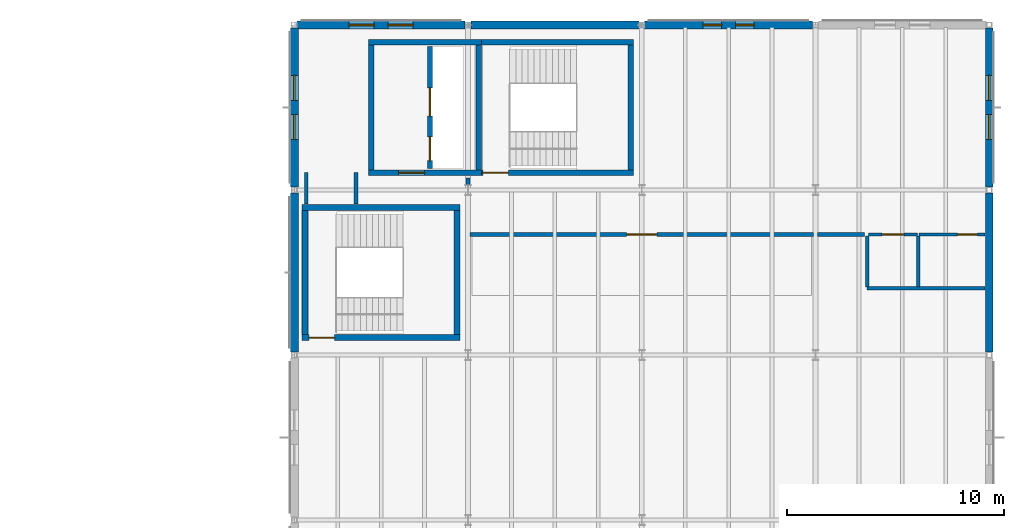
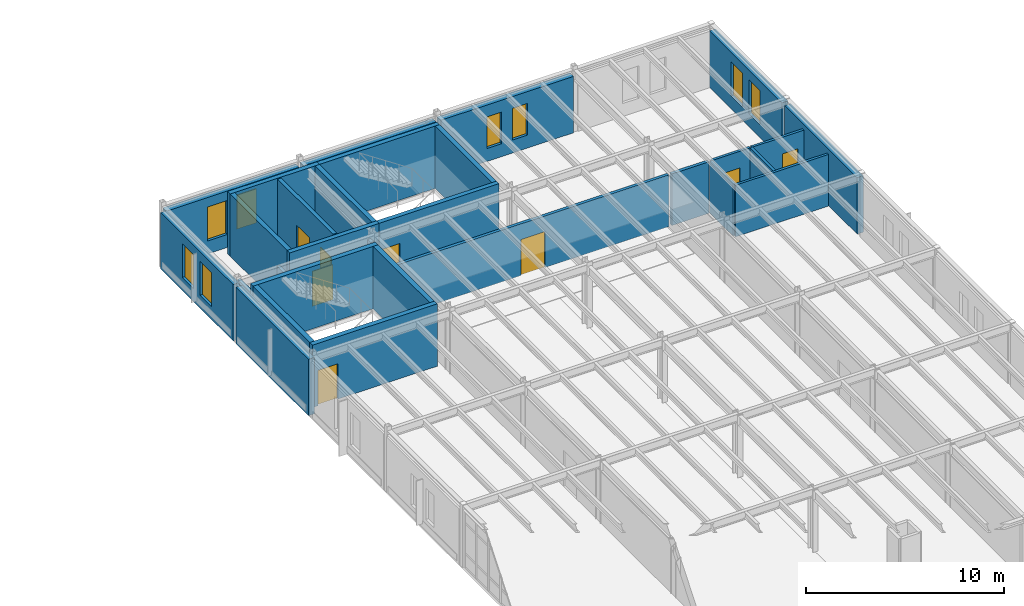
# One storey, part 168 of 189: 29 walls, 8 doors, 8 windows, 16 openings.
"""IFC4 building model written with IfcOpenShell, lengths in metres."""

from ifc_helpers import new_model, si_unit, direction, frame, frame_2d, origin, place, context, subcontext, project, spatial, rectangle, extrude, material, layer, layer_set, type_object, element, fill, save


model = new_model("IFC4")

# Units and contexts
model_context = context("Model", 3, precision=1e-05, world=origin(), true_north=direction((0.0, 1.0)))
body_context = subcontext(model_context, "Body", "Model", "MODEL_VIEW")
ifc_project = project(units=[si_unit("LENGTHUNIT", "METRE"), si_unit("AREAUNIT", "SQUARE_METRE"), si_unit("VOLUMEUNIT", "CUBIC_METRE"), si_unit("PLANEANGLEUNIT", "RADIAN"), si_unit("MASSUNIT", "GRAM", prefix="KILO")], contexts=[model_context])

# Site, building, storey
site_placement = place(None, origin())
site = spatial("IfcSite", under=ifc_project, at=site_placement, CompositionType="ELEMENT")
building_placement = place(site_placement, origin())
building = spatial("IfcBuilding", under=site, at=building_placement, Name="Montecoro Central Library", CompositionType="ELEMENT")
storey_placement = place(building_placement, frame((0.0, 0.0, 9.179931640625)))
storey = spatial("IfcBuildingStorey", under=building, at=storey_placement, Name="L02", CompositionType="ELEMENT", Elevation=9.179931640625)

# Wall
ifc_material_1 = material(Name="Roman travertine stone clad concrete C35/45", Category="masonry")
ifc_layer_1 = layer(ifc_material_1, 0.364990234375)
ifc_layer_set_1 = layer_set([ifc_layer_1], Name="Roman travertine stone clad concrete C35/45")
wall_type_1 = type_object("IfcWallType", Name="EW-STK-365", PredefinedType="SOLIDWALL", material=ifc_layer_set_1)
wall_1_placement = place(storey_placement, frame((173.0, 103.93310546875, 0.0), z_axis=(0.0, 0.0, 1.0), x_axis=(0.0, 1.0, 0.0)))
element("IfcWall", 1, at=wall_1_placement, inside=storey, type_object=wall_type_1, Name="V5-L02-EW-E4", PredefinedType="SOLIDWALL", context=body_context, shape_type="SweptSolid", body=[
    extrude(rectangle(XDim=7.333984375, YDim=0.364990234375, at=frame_2d((3.6669921875, 0.0))), origin(), (0.0, 0.0, 1.0), 3.47998046875),
])

# Wall, openings, windows
wall_2_placement = place(storey_placement, frame((173.0, 111.532958984375, 0.0), z_axis=(0.0, 0.0, 1.0), x_axis=(0.0, 1.0, 0.0)))
wall_2 = element("IfcWall", 2, at=wall_2_placement, inside=storey, type_object=wall_type_1, Name="V5-L02-EW-E5", PredefinedType="SOLIDWALL", context=body_context, shape_type="SweptSolid", body=[
    extrude(rectangle(XDim=7.333984375, YDim=0.364990234375, at=frame_2d((3.6669921875, 0.0))), origin(), (0.0, 0.0, 1.0), 3.47998046875),
])
opening_1_placement = place(wall_2_placement, frame((2.19189453125, 0.0, 0.800048828125)))
opening_1 = element("IfcOpeningElement", 3, at=opening_1_placement, cuts=wall_2, Name="Opening WN-04", PredefinedType="OPENING", context=body_context, shape_type="SweptSolid", body=[
    extrude(rectangle(XDim=1.14990234375, YDim=2.10009765625, at=frame_2d((0.574951171875, 1.050048828125))), frame((0.0, 0.1923828125, 0.0), z_axis=(0.0, -1.0, 0.0), x_axis=(1.0, 0.0, 0.0)), (0.0, 0.0, 1.0), 0.385009765625),
])
opening_2_placement = place(wall_2_placement, frame((3.991943359375, 0.0, 0.800048828125)))
opening_2 = element("IfcOpeningElement", 4, at=opening_2_placement, cuts=wall_2, Name="Opening WN-04", PredefinedType="OPENING", context=body_context, shape_type="SweptSolid", body=[
    extrude(rectangle(XDim=1.14990234375, YDim=2.10009765625, at=frame_2d((0.574951171875, 1.050048828125))), frame((0.0, 0.1923828125, 0.0), z_axis=(0.0, -1.0, 0.0), x_axis=(1.0, 0.0, 0.0)), (0.0, 0.0, 1.0), 0.385009765625),
])
ifc_material_2 = material(Name="UV-filtered triple glazing", Category="glass")
window_type_1 = type_object("IfcWindowType", Name="WN-STK-115", PartitioningType="SINGLE_PANEL", PredefinedType="WINDOW", material=ifc_material_2)
window_1_placement = place(opening_1_placement, origin())
window_1 = element("IfcWindow", 5, at=window_1_placement, inside=storey, type_object=window_type_1, Name="V5-L02-WN-E5-1", OverallHeight=2.10009765625, OverallWidth=1.14990234375, PartitioningType="SINGLE_PANEL", PredefinedType="WINDOW", context=body_context, shape_type="SweptSolid", body=[
    extrude(rectangle(XDim=1.14990234375, YDim=2.10009765625, at=frame_2d((0.574951171875, 1.050048828125))), frame((0.0, 0.030029296875, 0.0), z_axis=(0.0, -1.0, 0.0), x_axis=(1.0, 0.0, 0.0)), (0.0, 0.0, 1.0), 0.06005859375),
])
fill(opening_1, window_1)
window_2_placement = place(opening_2_placement, origin())
window_2 = element("IfcWindow", 6, at=window_2_placement, inside=storey, type_object=window_type_1, Name="V5-L02-WN-E5-2", OverallHeight=2.10009765625, OverallWidth=1.14990234375, PartitioningType="SINGLE_PANEL", PredefinedType="WINDOW", context=body_context, shape_type="SweptSolid", body=[
    extrude(rectangle(XDim=1.14990234375, YDim=2.10009765625, at=frame_2d((0.574951171875, 1.050048828125))), frame((0.0, 0.030029296875, 0.0), z_axis=(0.0, -1.0, 0.0), x_axis=(1.0, 0.0, 0.0)), (0.0, 0.0, 1.0), 0.06005859375),
])
fill(opening_2, window_2)

wall_3_placement = place(storey_placement, frame((164.866943359375, 119.0, 0.0), z_axis=(0.0, 0.0, 1.0), x_axis=(-1.0, 0.0, 0.0)))
wall_3 = element("IfcWall", 7, at=wall_3_placement, inside=storey, type_object=wall_type_1, Name="V5-L02-EW-N2", PredefinedType="SOLIDWALL", context=body_context, shape_type="SweptSolid", body=[
    extrude(rectangle(XDim=7.73388671875, YDim=0.364990234375, at=frame_2d((3.866943359375, 0.0))), origin(), (0.0, 0.0, 1.0), 3.47998046875),
])
opening_3_placement = place(wall_3_placement, frame((2.69189453125, 0.0, 0.800048828125)))
opening_3 = element("IfcOpeningElement", 8, at=opening_3_placement, cuts=wall_3, Name="Opening WN-01", PredefinedType="OPENING", context=body_context, shape_type="SweptSolid", body=[
    extrude(rectangle(XDim=0.85009765625, YDim=1.949951171875, at=frame_2d((0.425048828125, 0.97509765625))), frame((0.0, 0.1923828125, 0.0), z_axis=(0.0, -1.0, 0.0), x_axis=(1.0, 0.0, 0.0)), (0.0, 0.0, 1.0), 0.385009765625),
])
opening_4_placement = place(wall_3_placement, frame((4.19189453125, 0.0, 0.800048828125)))
opening_4 = element("IfcOpeningElement", 9, at=opening_4_placement, cuts=wall_3, Name="Opening WN-01", PredefinedType="OPENING", context=body_context, shape_type="SweptSolid", body=[
    extrude(rectangle(XDim=0.85009765625, YDim=1.949951171875, at=frame_2d((0.425048828125, 0.97509765625))), frame((0.0, 0.1923828125, 0.0), z_axis=(0.0, -1.0, 0.0), x_axis=(1.0, 0.0, 0.0)), (0.0, 0.0, 1.0), 0.385009765625),
])
window_type_2 = type_object("IfcWindowType", Name="WN-STK-085", PartitioningType="SINGLE_PANEL", PredefinedType="WINDOW", material=ifc_material_2)
window_3_placement = place(opening_3_placement, origin())
window_3 = element("IfcWindow", 10, at=window_3_placement, inside=storey, type_object=window_type_2, Name="V5-L02-WN-N2-1", OverallHeight=1.949951171875, OverallWidth=0.85009765625, PartitioningType="SINGLE_PANEL", PredefinedType="WINDOW", context=body_context, shape_type="SweptSolid", body=[
    extrude(rectangle(XDim=0.85009765625, YDim=1.949951171875, at=frame_2d((0.425048828125, 0.97509765625))), frame((0.0, 0.030029296875, 0.0), z_axis=(0.0, -1.0, 0.0), x_axis=(1.0, 0.0, 0.0)), (0.0, 0.0, 1.0), 0.06005859375),
])
fill(opening_3, window_3)
window_4_placement = place(opening_4_placement, origin())
window_4 = element("IfcWindow", 11, at=window_4_placement, inside=storey, type_object=window_type_2, Name="V5-L02-WN-N2-2", OverallHeight=1.949951171875, OverallWidth=0.85009765625, PartitioningType="SINGLE_PANEL", PredefinedType="WINDOW", context=body_context, shape_type="SweptSolid", body=[
    extrude(rectangle(XDim=0.85009765625, YDim=1.949951171875, at=frame_2d((0.425048828125, 0.97509765625))), frame((0.0, 0.030029296875, 0.0), z_axis=(0.0, -1.0, 0.0), x_axis=(1.0, 0.0, 0.0)), (0.0, 0.0, 1.0), 0.06005859375),
])
fill(opening_4, window_4)

# Wall
wall_4_placement = place(storey_placement, frame((156.866943359375, 119.0, 0.0), z_axis=(0.0, 0.0, 1.0), x_axis=(-1.0, 0.0, 0.0)))
element("IfcWall", 12, at=wall_4_placement, inside=storey, type_object=wall_type_1, Name="V5-L02-EW-N1", PredefinedType="SOLIDWALL", context=body_context, shape_type="SweptSolid", body=[
    extrude(rectangle(XDim=7.73388671875, YDim=0.364990234375, at=frame_2d((3.866943359375, 0.0))), origin(), (0.0, 0.0, 1.0), 3.47998046875),
])

# Wall, openings, windows
wall_5_placement = place(storey_placement, frame((148.866943359375, 119.0, 0.0), z_axis=(0.0, 0.0, 1.0), x_axis=(-1.0, 0.0, 0.0)))
wall_5 = element("IfcWall", 13, at=wall_5_placement, inside=storey, type_object=wall_type_1, Name="V5-L02-EW-N0", PredefinedType="SOLIDWALL", context=body_context, shape_type="SweptSolid", body=[
    extrude(rectangle(XDim=7.73388671875, YDim=0.364990234375, at=frame_2d((3.866943359375, 0.0))), origin(), (0.0, 0.0, 1.0), 3.47998046875),
])
opening_5_placement = place(wall_5_placement, frame((2.39208984375, 0.0, 0.800048828125)))
opening_5 = element("IfcOpeningElement", 14, at=opening_5_placement, cuts=wall_5, Name="Opening WN-04", PredefinedType="OPENING", context=body_context, shape_type="SweptSolid", body=[
    extrude(rectangle(XDim=1.14990234375, YDim=2.10009765625, at=frame_2d((0.574951171875, 1.050048828125))), frame((0.0, 0.1923828125, 0.0), z_axis=(0.0, -1.0, 0.0), x_axis=(1.0, 0.0, 0.0)), (0.0, 0.0, 1.0), 0.385009765625),
])
opening_6_placement = place(wall_5_placement, frame((4.19189453125, 0.0, 0.800048828125)))
opening_6 = element("IfcOpeningElement", 15, at=opening_6_placement, cuts=wall_5, Name="Opening WN-04", PredefinedType="OPENING", context=body_context, shape_type="SweptSolid", body=[
    extrude(rectangle(XDim=1.14990234375, YDim=2.10009765625, at=frame_2d((0.574951171875, 1.050048828125))), frame((0.0, 0.1923828125, 0.0), z_axis=(0.0, -1.0, 0.0), x_axis=(1.0, 0.0, 0.0)), (0.0, 0.0, 1.0), 0.385009765625),
])
window_5_placement = place(opening_5_placement, origin())
window_5 = element("IfcWindow", 16, at=window_5_placement, inside=storey, type_object=window_type_1, Name="V5-L02-WN-N0-1", OverallHeight=2.10009765625, OverallWidth=1.14990234375, PartitioningType="SINGLE_PANEL", PredefinedType="WINDOW", context=body_context, shape_type="SweptSolid", body=[
    extrude(rectangle(XDim=1.14990234375, YDim=2.10009765625, at=frame_2d((0.574951171875, 1.050048828125))), frame((0.0, 0.030029296875, 0.0), z_axis=(0.0, -1.0, 0.0), x_axis=(1.0, 0.0, 0.0)), (0.0, 0.0, 1.0), 0.06005859375),
])
fill(opening_5, window_5)
window_6_placement = place(opening_6_placement, origin())
window_6 = element("IfcWindow", 17, at=window_6_placement, inside=storey, type_object=window_type_1, Name="V5-L02-WN-N0-2", OverallHeight=2.10009765625, OverallWidth=1.14990234375, PartitioningType="SINGLE_PANEL", PredefinedType="WINDOW", context=body_context, shape_type="SweptSolid", body=[
    extrude(rectangle(XDim=1.14990234375, YDim=2.10009765625, at=frame_2d((0.574951171875, 1.050048828125))), frame((0.0, 0.030029296875, 0.0), z_axis=(0.0, -1.0, 0.0), x_axis=(1.0, 0.0, 0.0)), (0.0, 0.0, 1.0), 0.06005859375),
])
fill(opening_6, window_6)

wall_6_placement = place(storey_placement, frame((141.0, 118.866943359375, 0.0), z_axis=(0.0, 0.0, 1.0), x_axis=(0.0, -1.0, 0.0)))
wall_6 = element("IfcWall", 18, at=wall_6_placement, inside=storey, type_object=wall_type_1, Name="V5-L02-EW-W5", PredefinedType="SOLIDWALL", context=body_context, shape_type="SweptSolid", body=[
    extrude(rectangle(XDim=7.333984375, YDim=0.364990234375, at=frame_2d((3.6669921875, 0.0))), origin(), (0.0, 0.0, 1.0), 3.47998046875),
])
opening_7_placement = place(wall_6_placement, frame((2.19189453125, 0.0, 0.800048828125)))
opening_7 = element("IfcOpeningElement", 19, at=opening_7_placement, cuts=wall_6, Name="Opening WN-04", PredefinedType="OPENING", context=body_context, shape_type="SweptSolid", body=[
    extrude(rectangle(XDim=1.14990234375, YDim=2.10009765625, at=frame_2d((0.574951171875, 1.050048828125))), frame((0.0, 0.1923828125, 0.0), z_axis=(0.0, -1.0, 0.0), x_axis=(1.0, 0.0, 0.0)), (0.0, 0.0, 1.0), 0.385009765625),
])
opening_8_placement = place(wall_6_placement, frame((3.991943359375, 0.0, 0.800048828125)))
opening_8 = element("IfcOpeningElement", 20, at=opening_8_placement, cuts=wall_6, Name="Opening WN-04", PredefinedType="OPENING", context=body_context, shape_type="SweptSolid", body=[
    extrude(rectangle(XDim=1.14990234375, YDim=2.10009765625, at=frame_2d((0.574951171875, 1.050048828125))), frame((0.0, 0.1923828125, 0.0), z_axis=(0.0, -1.0, 0.0), x_axis=(1.0, 0.0, 0.0)), (0.0, 0.0, 1.0), 0.385009765625),
])
window_7_placement = place(opening_7_placement, origin())
window_7 = element("IfcWindow", 21, at=window_7_placement, inside=storey, type_object=window_type_1, Name="V5-L02-WN-W5-1", OverallHeight=2.10009765625, OverallWidth=1.14990234375, PartitioningType="SINGLE_PANEL", PredefinedType="WINDOW", context=body_context, shape_type="SweptSolid", body=[
    extrude(rectangle(XDim=1.14990234375, YDim=2.10009765625, at=frame_2d((0.574951171875, 1.050048828125))), frame((0.0, 0.030029296875, 0.0), z_axis=(0.0, -1.0, 0.0), x_axis=(1.0, 0.0, 0.0)), (0.0, 0.0, 1.0), 0.06005859375),
])
fill(opening_7, window_7)
window_8_placement = place(opening_8_placement, origin())
window_8 = element("IfcWindow", 22, at=window_8_placement, inside=storey, type_object=window_type_1, Name="V5-L02-WN-W5-2", OverallHeight=2.10009765625, OverallWidth=1.14990234375, PartitioningType="SINGLE_PANEL", PredefinedType="WINDOW", context=body_context, shape_type="SweptSolid", body=[
    extrude(rectangle(XDim=1.14990234375, YDim=2.10009765625, at=frame_2d((0.574951171875, 1.050048828125))), frame((0.0, 0.030029296875, 0.0), z_axis=(0.0, -1.0, 0.0), x_axis=(1.0, 0.0, 0.0)), (0.0, 0.0, 1.0), 0.06005859375),
])
fill(opening_8, window_8)

# Wall
wall_7_placement = place(storey_placement, frame((141.0, 111.26708984375, 0.0), z_axis=(0.0, 0.0, 1.0), x_axis=(0.0, -1.0, 0.0)))
element("IfcWall", 23, at=wall_7_placement, inside=storey, type_object=wall_type_1, Name="V5-L02-EW-W4", PredefinedType="SOLIDWALL", context=body_context, shape_type="SweptSolid", body=[
    extrude(rectangle(XDim=7.333984375, YDim=0.364990234375, at=frame_2d((3.6669921875, 0.0))), origin(), (0.0, 0.0, 1.0), 3.47998046875),
])

# Wall, opening, door
ifc_material_3 = material(Name="Gypsum fire-rated partition")
ifc_layer_2 = layer(ifc_material_3, 0.179931640625)
ifc_layer_set_2 = layer_set([ifc_layer_2], Name="Gypsum fire-rated partition")
wall_type_2 = type_object("IfcWallType", Name="IW-COR-180", PredefinedType="PARTITIONING", material=ifc_layer_set_2)
wall_8_placement = place(storey_placement, frame((149.090087890625, 109.35009765625, 0.0), z_axis=(0.0, 0.0, 1.0), x_axis=(1.0, 0.0, 0.0)))
wall_8 = element("IfcWall", 24, at=wall_8_placement, inside=storey, type_object=wall_type_2, Name="CORW-V5-L02-03", PredefinedType="PARTITIONING", context=body_context, shape_type="SweptSolid", body=[
    extrude(rectangle(XDim=15.81982421875, YDim=0.179931640625, at=frame_2d((7.909912109375, 0.0))), origin(), (0.0, 0.0, 1.0), 3.18017578125),
])
opening_9_placement = place(wall_8_placement, frame((7.2099609375, 0.0, 0.0)))
opening_9 = element("IfcOpeningElement", 25, at=opening_9_placement, cuts=wall_8, Name="Opening ID-08", PredefinedType="OPENING", context=body_context, shape_type="SweptSolid", body=[
    extrude(rectangle(XDim=1.39990234375, YDim=2.219970703125, at=frame_2d((0.699951171875, 1.10986328125))), frame((0.0, 0.099853515625, 0.0), z_axis=(0.0, -1.0, 0.0), x_axis=(1.0, 0.0, 0.0)), (0.0, 0.0, 1.0), 0.199951171875),
])
ifc_material_4 = material(Name="Solid oak and fire-rated steel door", Category="steel")
door_type_1 = type_object("IfcDoorType", Name="ID-RDG-140", OperationType="NOTDEFINED", PredefinedType="DOOR", material=ifc_material_4)
door_1_placement = place(opening_9_placement, origin())
door_1 = element("IfcDoor", 26, at=door_1_placement, inside=storey, type_object=door_type_1, Name="DR-SP-V5-L02-R2P1", OperationType="SINGLE_SWING_RIGHT", OverallHeight=2.219970703125, OverallWidth=1.39990234375, PredefinedType="DOOR", context=body_context, shape_type="SweptSolid", body=[
    extrude(rectangle(XDim=1.39990234375, YDim=2.219970703125, at=frame_2d((0.699951171875, 1.10986328125))), frame((0.0, 0.02490234375, 0.0), z_axis=(0.0, -1.0, 0.0), x_axis=(1.0, 0.0, 0.0)), (0.0, 0.0, 1.0), 0.050048828125),
])
fill(opening_9, door_1)

# Walls
wall_9_placement = place(storey_placement, frame((165.090087890625, 109.35009765625, 0.0), z_axis=(0.0, 0.0, 1.0), x_axis=(1.0, 0.0, 0.0)))
element("IfcWall", 27, at=wall_9_placement, inside=storey, type_object=wall_type_2, Name="CORW-V5-L02-04", PredefinedType="PARTITIONING", context=body_context, shape_type="SweptSolid", body=[
    extrude(rectangle(XDim=2.169921875, YDim=0.179931640625, at=frame_2d((1.0849609375, 0.0))), origin(), (0.0, 0.0, 1.0), 3.18017578125),
])
wall_10_placement = place(storey_placement, frame((149.0, 111.639892578125, 0.0), z_axis=(0.0, 0.0, 1.0), x_axis=(0.0, 1.0, 0.0)))
element("IfcWall", 28, at=wall_10_placement, inside=storey, type_object=wall_type_2, Name="PIL-V5-L02-1", PredefinedType="PARTITIONING", context=body_context, shape_type="SweptSolid", body=[
    extrude(rectangle(XDim=0.320068359375, YDim=0.179931640625, at=frame_2d((0.16015625, 0.0))), origin(), (0.0, 0.0, 1.0), 3.18017578125),
])
for number, where, z_axis, x_axis, name in (
    (29, (141.550048828125, 110.760009765625, 0.0), (0.0, 0.0, 1.0), (0.0, 1.0, 0.0), "SPRW-V5-L02-1W1"),
    (30, (143.85009765625, 110.760009765625, 0.0), (0.0, 0.0, 1.0), (0.0, 1.0, 0.0), "SPRW-V5-L02-1E1"),
):
    element("IfcWall", number, at=place(storey_placement, frame(where, z_axis=z_axis, x_axis=x_axis)), inside=storey, type_object=wall_type_2, Name=name, PredefinedType="PARTITIONING", context=body_context, shape_type="SweptSolid", body=[
        extrude(rectangle(XDim=1.43994140625, YDim=0.179931640625, at=frame_2d((0.719970703125, 0.0))), origin(), (0.0, 0.0, 1.0), 3.18017578125),
    ])

# Wall, openings, doors
ifc_material_5 = material(Name="Concrete C32/40", Category="concrete")
ifc_layer_3 = layer(ifc_material_5, 0.219970703125)
ifc_layer_set_3 = layer_set([ifc_layer_3], Name="Concrete C32/40")
wall_type_3 = type_object("IfcWallType", Name="IW-FFL-220", PredefinedType="SOLIDWALL", material=ifc_layer_set_3)
wall_11_placement = place(storey_placement, frame((147.25, 112.39990234375, 0.0), z_axis=(0.0, 0.0, 1.0), x_axis=(0.0, 1.0, 0.0)))
wall_11 = element("IfcWall", 31, at=wall_11_placement, inside=storey, type_object=wall_type_3, Name="C6-L02-WLSH", PredefinedType="SOLIDWALL", context=body_context, shape_type="SweptSolid", body=[
    extrude(rectangle(XDim=5.60009765625, YDim=0.219970703125, at=frame_2d((2.800048828125, 0.0))), origin(), (0.0, 0.0, 1.0), 3.844970703125),
])
opening_10_placement = place(wall_11_placement, frame((0.35009765625, 0.0, 0.0)))
opening_10 = element("IfcOpeningElement", 32, at=opening_10_placement, cuts=wall_11, Name="Opening LD-01", PredefinedType="OPENING", context=body_context, shape_type="SweptSolid", body=[
    extrude(rectangle(XDim=1.10009765625, YDim=2.14990234375, at=frame_2d((0.550048828125, 1.074951171875))), frame((0.0, 0.119873046875, 0.0), z_axis=(0.0, -1.0, 0.0), x_axis=(1.0, 0.0, 0.0)), (0.0, 0.0, 1.0), 0.239990234375),
])
opening_11_placement = place(wall_11_placement, frame((2.39990234375, 0.0, 0.0)))
opening_11 = element("IfcOpeningElement", 33, at=opening_11_placement, cuts=wall_11, Name="Opening LD-02", PredefinedType="OPENING", context=body_context, shape_type="SweptSolid", body=[
    extrude(rectangle(XDim=1.300048828125, YDim=2.179931640625, at=frame_2d((0.64990234375, 1.08984375))), frame((0.0, 0.119873046875, 0.0), z_axis=(0.0, -1.0, 0.0), x_axis=(1.0, 0.0, 0.0)), (0.0, 0.0, 1.0), 0.239990234375),
])
door_type_2 = type_object("IfcDoorType", Name="LD-LIFT-110", OperationType="NOTDEFINED", PredefinedType="DOOR", material=ifc_material_4)
door_2_placement = place(opening_10_placement, origin())
door_2 = element("IfcDoor", 34, at=door_2_placement, inside=storey, type_object=door_type_2, Name="C6-L02-LD-FFL-02", OperationType="SLIDING_TO_LEFT", OverallHeight=2.14990234375, OverallWidth=1.10009765625, PredefinedType="DOOR", context=body_context, shape_type="SweptSolid", body=[
    extrude(rectangle(XDim=1.10009765625, YDim=2.14990234375, at=frame_2d((0.550048828125, 1.074951171875))), frame((0.0, 0.02490234375, 0.0), z_axis=(0.0, -1.0, 0.0), x_axis=(1.0, 0.0, 0.0)), (0.0, 0.0, 1.0), 0.050048828125),
])
fill(opening_10, door_2)
door_type_3 = type_object("IfcDoorType", Name="LD-LIFT-130", OperationType="NOTDEFINED", PredefinedType="DOOR", material=ifc_material_4)
door_3_placement = place(opening_11_placement, origin())
door_3 = element("IfcDoor", 35, at=door_3_placement, inside=storey, type_object=door_type_3, Name="C6-L02-LD-GL-01", OperationType="SLIDING_TO_LEFT", OverallHeight=2.179931640625, OverallWidth=1.300048828125, PredefinedType="DOOR", context=body_context, shape_type="SweptSolid", body=[
    extrude(rectangle(XDim=1.300048828125, YDim=2.179931640625, at=frame_2d((0.64990234375, 1.08984375))), frame((0.0, 0.02490234375, 0.0), z_axis=(0.0, -1.0, 0.0), x_axis=(1.0, 0.0, 0.0)), (0.0, 0.0, 1.0), 0.050048828125),
])
fill(opening_11, door_3)

# Wall, opening, door
ifc_material_6 = material(Name="Concrete C35/45", Category="concrete")
ifc_layer_4 = layer(ifc_material_6, 0.260009765625)
ifc_layer_set_4 = layer_set([ifc_layer_4], Name="Concrete C35/45")
wall_type_4 = type_object("IfcWallType", Name="IW-SHR-260", PredefinedType="SHEAR", material=ifc_layer_set_4)
wall_12_placement = place(storey_placement, frame((144.419921875, 112.199951171875, 0.0), z_axis=(0.0, 0.0, 1.0), x_axis=(1.0, 0.0, 0.0)))
wall_12 = element("IfcWall", 36, at=wall_12_placement, inside=storey, type_object=wall_type_4, Name="C6-L02-LWS", PredefinedType="SHEAR", context=body_context, shape_type="SweptSolid", body=[
    extrude(rectangle(XDim=5.2099609375, YDim=0.260009765625, at=frame_2d((2.60498046875, 0.0))), origin(), (0.0, 0.0, 1.0), 3.844970703125),
])
opening_12_placement = place(wall_12_placement, frame((1.3798828125, 0.0, 0.0)))
opening_12 = element("IfcOpeningElement", 37, at=opening_12_placement, cuts=wall_12, Name="Opening ID-03", PredefinedType="OPENING", context=body_context, shape_type="SweptSolid", body=[
    extrude(rectangle(XDim=1.199951171875, YDim=2.159912109375, at=frame_2d((0.60009765625, 1.080078125))), frame((0.0, 0.139892578125, 0.0), z_axis=(0.0, -1.0, 0.0), x_axis=(1.0, 0.0, 0.0)), (0.0, 0.0, 1.0), 0.280029296875),
])
door_type_4 = type_object("IfcDoorType", Name="ID-FFL-120", OperationType="NOTDEFINED", PredefinedType="DOOR", material=ifc_material_4)
door_4_placement = place(opening_12_placement, origin())
door_4 = element("IfcDoor", 38, at=door_4_placement, inside=storey, type_object=door_type_4, Name="C6-L02-DLOB", OperationType="SINGLE_SWING_LEFT", OverallHeight=2.159912109375, OverallWidth=1.199951171875, PredefinedType="DOOR", context=body_context, shape_type="SweptSolid", body=[
    extrude(rectangle(XDim=1.199951171875, YDim=2.159912109375, at=frame_2d((0.60009765625, 1.080078125))), frame((0.0, 0.02490234375, 0.0), z_axis=(0.0, -1.0, 0.0), x_axis=(1.0, 0.0, 0.0)), (0.0, 0.0, 1.0), 0.050048828125),
])
fill(opening_12, door_4)

# Walls
wall_13_placement = place(storey_placement, frame((149.6298828125, 118.199951171875, 0.0), z_axis=(0.0, 0.0, 1.0), x_axis=(-1.0, 0.0, 0.0)))
element("IfcWall", 39, at=wall_13_placement, inside=storey, type_object=wall_type_4, Name="C6-L02-LWN", PredefinedType="SHEAR", context=body_context, shape_type="SweptSolid", body=[
    extrude(rectangle(XDim=5.2099609375, YDim=0.260009765625, at=frame_2d((2.60498046875, 0.0))), origin(), (0.0, 0.0, 1.0), 3.844970703125),
])
wall_14_placement = place(storey_placement, frame((144.550048828125, 118.070068359375, 0.0), z_axis=(0.0, 0.0, 1.0), x_axis=(0.0, -1.0, 0.0)))
element("IfcWall", 40, at=wall_14_placement, inside=storey, type_object=wall_type_4, Name="C6-L02-LWW", PredefinedType="SHEAR", context=body_context, shape_type="SweptSolid", body=[
    extrude(rectangle(XDim=5.739990234375, YDim=0.260009765625, at=frame_2d((2.8701171875, 0.0))), origin(), (0.0, 0.0, 1.0), 3.844970703125),
])

# Wall, opening, door
wall_15_placement = place(storey_placement, frame((149.3701171875, 112.199951171875, 0.0), z_axis=(0.0, 0.0, 1.0), x_axis=(1.0, 0.0, 0.0)))
wall_15 = element("IfcWall", 41, at=wall_15_placement, inside=storey, type_object=wall_type_4, Name="C6-L02-WS", PredefinedType="SHEAR", context=body_context, shape_type="SweptSolid", body=[
    extrude(rectangle(XDim=7.259765625, YDim=0.260009765625, at=frame_2d((3.6298828125, 0.0))), origin(), (0.0, 0.0, 1.0), 3.844970703125),
])
opening_13_placement = place(wall_15_placement, frame((0.31005859375, 0.0, 0.0)))
opening_13 = element("IfcOpeningElement", 42, at=opening_13_placement, cuts=wall_15, Name="Opening ID-02", PredefinedType="OPENING", context=body_context, shape_type="SweptSolid", body=[
    extrude(rectangle(XDim=1.179931640625, YDim=2.179931640625, at=frame_2d((0.58984375, 1.08984375))), frame((0.0, 0.139892578125, 0.0), z_axis=(0.0, -1.0, 0.0), x_axis=(1.0, 0.0, 0.0)), (0.0, 0.0, 1.0), 0.280029296875),
])
door_type_5 = type_object("IfcDoorType", Name="ID-STR-135", OperationType="NOTDEFINED", PredefinedType="DOOR", material=ifc_material_4)
door_5_placement = place(opening_13_placement, origin())
door_5 = element("IfcDoor", 43, at=door_5_placement, inside=storey, type_object=door_type_5, Name="C6-L02-DSTR", OperationType="SINGLE_SWING_RIGHT", OverallHeight=2.179931640625, OverallWidth=1.179931640625, PredefinedType="DOOR", context=body_context, shape_type="SweptSolid", body=[
    extrude(rectangle(XDim=1.179931640625, YDim=2.179931640625, at=frame_2d((0.58984375, 1.08984375))), frame((0.0, 0.02490234375, 0.0), z_axis=(0.0, -1.0, 0.0), x_axis=(1.0, 0.0, 0.0)), (0.0, 0.0, 1.0), 0.050048828125),
])
fill(opening_13, door_5)

# Walls
wall_16_placement = place(storey_placement, frame((149.3701171875, 118.199951171875, 0.0), z_axis=(0.0, 0.0, 1.0), x_axis=(1.0, 0.0, 0.0)))
element("IfcWall", 44, at=wall_16_placement, inside=storey, type_object=wall_type_4, Name="C6-L02-WN", PredefinedType="SHEAR", context=body_context, shape_type="SweptSolid", body=[
    extrude(rectangle(XDim=7.259765625, YDim=0.260009765625, at=frame_2d((3.6298828125, 0.0))), origin(), (0.0, 0.0, 1.0), 3.844970703125),
])
for number, where, z_axis, x_axis, name in (
    (45, (149.5, 112.330078125, 0.0), (0.0, 0.0, 1.0), (0.0, 1.0, 0.0), "C6-L02-WW"),
    (46, (156.5, 112.330078125, 0.0), (0.0, 0.0, 1.0), (0.0, 1.0, 0.0), "C6-L02-WE"),
):
    element("IfcWall", number, at=place(storey_placement, frame(where, z_axis=z_axis, x_axis=x_axis)), inside=storey, type_object=wall_type_4, Name=name, PredefinedType="SHEAR", context=body_context, shape_type="SweptSolid", body=[
        extrude(rectangle(XDim=5.739990234375, YDim=0.260009765625, at=frame_2d((2.8701171875, 0.0))), origin(), (0.0, 0.0, 1.0), 3.844970703125),
    ])

# Wall, opening, door
ifc_layer_5 = layer(ifc_material_6, 0.280029296875)
ifc_layer_set_5 = layer_set([ifc_layer_5], Name="Concrete C35/45")
wall_type_5 = type_object("IfcWallType", Name="IW-SHR-280", PredefinedType="SHEAR", material=ifc_layer_set_5)
wall_17_placement = place(storey_placement, frame((141.360107421875, 104.60009765625, 0.0), z_axis=(0.0, 0.0, 1.0), x_axis=(1.0, 0.0, 0.0)))
wall_17 = element("IfcWall", 47, at=wall_17_placement, inside=storey, type_object=wall_type_5, Name="C8-L02-WS", PredefinedType="SHEAR", context=body_context, shape_type="SweptSolid", body=[
    extrude(rectangle(XDim=7.27978515625, YDim=0.280029296875, at=frame_2d((3.639892578125, 0.0))), origin(), (0.0, 0.0, 1.0), 3.844970703125),
])
opening_14_placement = place(wall_17_placement, frame((0.320068359375, 0.0, 0.0)))
opening_14 = element("IfcOpeningElement", 48, at=opening_14_placement, cuts=wall_17, Name="Opening ID-02", PredefinedType="OPENING", context=body_context, shape_type="SweptSolid", body=[
    extrude(rectangle(XDim=1.179931640625, YDim=2.179931640625, at=frame_2d((0.58984375, 1.08984375))), frame((0.0, 0.14990234375, 0.0), z_axis=(0.0, -1.0, 0.0), x_axis=(1.0, 0.0, 0.0)), (0.0, 0.0, 1.0), 0.300048828125),
])
door_6_placement = place(opening_14_placement, origin())
door_6 = element("IfcDoor", 49, at=door_6_placement, inside=storey, type_object=door_type_5, Name="C8-L02-DSTR", OperationType="SINGLE_SWING_RIGHT", OverallHeight=2.179931640625, OverallWidth=1.179931640625, PredefinedType="DOOR", context=body_context, shape_type="SweptSolid", body=[
    extrude(rectangle(XDim=1.179931640625, YDim=2.179931640625, at=frame_2d((0.58984375, 1.08984375))), frame((0.0, 0.02490234375, 0.0), z_axis=(0.0, -1.0, 0.0), x_axis=(1.0, 0.0, 0.0)), (0.0, 0.0, 1.0), 0.050048828125),
])
fill(opening_14, door_6)

# Walls
wall_18_placement = place(storey_placement, frame((141.360107421875, 110.60009765625, 0.0), z_axis=(0.0, 0.0, 1.0), x_axis=(1.0, 0.0, 0.0)))
element("IfcWall", 50, at=wall_18_placement, inside=storey, type_object=wall_type_5, Name="C8-L02-WN", PredefinedType="SHEAR", context=body_context, shape_type="SweptSolid", body=[
    extrude(rectangle(XDim=7.27978515625, YDim=0.280029296875, at=frame_2d((3.639892578125, 0.0))), origin(), (0.0, 0.0, 1.0), 3.844970703125),
])
for number, where, z_axis, x_axis, name in (
    (51, (141.5, 104.739990234375, 0.0), (0.0, 0.0, 1.0), (0.0, 1.0, 0.0), "C8-L02-WW"),
    (52, (148.5, 104.739990234375, 0.0), (0.0, 0.0, 1.0), (0.0, 1.0, 0.0), "C8-L02-WE"),
):
    element("IfcWall", number, at=place(storey_placement, frame(where, z_axis=z_axis, x_axis=x_axis)), inside=storey, type_object=wall_type_5, Name=name, PredefinedType="SHEAR", context=body_context, shape_type="SweptSolid", body=[
        extrude(rectangle(XDim=5.719970703125, YDim=0.280029296875, at=frame_2d((2.85986328125, 0.0))), origin(), (0.0, 0.0, 1.0), 3.844970703125),
    ])
ifc_material_7 = material(Name="Moisture-resistant ceramic-tiled partition")
ifc_layer_6 = layer(ifc_material_7, 0.14990234375)
ifc_layer_set_6 = layer_set([ifc_layer_6], Name="Moisture-resistant ceramic-tiled partition")
wall_type_6 = type_object("IfcWallType", Name="IW-WET-150", PredefinedType="PARTITIONING", material=ifc_layer_set_6)
wall_19_placement = place(storey_placement, frame((167.3798828125, 106.8701171875, 0.0), z_axis=(0.0, 0.0, 1.0), x_axis=(1.0, 0.0, 0.0)))
element("IfcWall", 53, at=wall_19_placement, inside=storey, type_object=wall_type_6, Name="WC-V5-L02-WBK", PredefinedType="PARTITIONING", context=body_context, shape_type="SweptSolid", body=[
    extrude(rectangle(XDim=5.420166015625, YDim=0.14990234375, at=frame_2d((2.7099609375, 0.0))), origin(), (0.0, 0.0, 1.0), 3.18017578125),
])
for number, where, z_axis, x_axis, name in (
    (54, (167.3798828125, 106.929931640625, 0.0), (0.0, 0.0, 1.0), (0.0, 1.0, 0.0), "WC-V5-L02-WW"),
    (55, (169.72998046875, 106.929931640625, 0.0), (0.0, 0.0, 1.0), (0.0, 1.0, 0.0), "WC-V5-L02-WM"),
):
    element("IfcWall", number, at=place(storey_placement, frame(where, z_axis=z_axis, x_axis=x_axis)), inside=storey, type_object=wall_type_6, Name=name, PredefinedType="PARTITIONING", context=body_context, shape_type="SweptSolid", body=[
        extrude(rectangle(XDim=2.360107421875, YDim=0.14990234375, at=frame_2d((1.18017578125, 0.0))), origin(), (0.0, 0.0, 1.0), 3.18017578125),
    ])

# Wall, opening, door
wall_20_placement = place(storey_placement, frame((167.43994140625, 109.35009765625, 0.0), z_axis=(0.0, 0.0, 1.0), x_axis=(1.0, 0.0, 0.0)))
wall_20 = element("IfcWall", 56, at=wall_20_placement, inside=storey, type_object=wall_type_6, Name="WC-V5-L02-WFA", PredefinedType="PARTITIONING", context=body_context, shape_type="SweptSolid", body=[
    extrude(rectangle(XDim=2.25, YDim=0.14990234375, at=frame_2d((1.125, 0.0))), origin(), (0.0, 0.0, 1.0), 3.18017578125),
])
opening_15_placement = place(wall_20_placement, frame((0.625, 0.0, 0.0)))
opening_15 = element("IfcOpeningElement", 57, at=opening_15_placement, cuts=wall_20, Name="Opening ID-15", PredefinedType="OPENING", context=body_context, shape_type="SweptSolid", body=[
    extrude(rectangle(XDim=1.0, YDim=2.14990234375, at=frame_2d((0.5, 1.074951171875))), frame((0.0, 0.0849609375, 0.0), z_axis=(0.0, -1.0, 0.0), x_axis=(1.0, 0.0, 0.0)), (0.0, 0.0, 1.0), 0.169921875),
])
door_type_6 = type_object("IfcDoorType", Name="ID-AWC-100", OperationType="NOTDEFINED", PredefinedType="DOOR", material=ifc_material_4)
door_7_placement = place(opening_15_placement, origin())
door_7 = element("IfcDoor", 58, at=door_7_placement, inside=storey, type_object=door_type_6, Name="DR-SP-V5-L02-AWC", OperationType="SINGLE_SWING_LEFT", OverallHeight=2.14990234375, OverallWidth=1.0, PredefinedType="DOOR", context=body_context, shape_type="SweptSolid", body=[
    extrude(rectangle(XDim=1.0, YDim=2.14990234375, at=frame_2d((0.5, 1.074951171875))), frame((0.0, 0.02490234375, 0.0), z_axis=(0.0, -1.0, 0.0), x_axis=(1.0, 0.0, 0.0)), (0.0, 0.0, 1.0), 0.050048828125),
])
fill(opening_15, door_7)

wall_21_placement = place(storey_placement, frame((169.77001953125, 109.35009765625, 0.0), z_axis=(0.0, 0.0, 1.0), x_axis=(1.0, 0.0, 0.0)))
wall_21 = element("IfcWall", 59, at=wall_21_placement, inside=storey, type_object=wall_type_6, Name="WC-V5-L02-WFP", PredefinedType="PARTITIONING", context=body_context, shape_type="SweptSolid", body=[
    extrude(rectangle(XDim=3.030029296875, YDim=0.14990234375, at=frame_2d((1.51513671875, 0.0))), origin(), (0.0, 0.0, 1.0), 3.18017578125),
])
opening_16_placement = place(wall_21_placement, frame((1.780029296875, 0.0, 0.0)))
opening_16 = element("IfcOpeningElement", 60, at=opening_16_placement, cuts=wall_21, Name="Opening ID-16", PredefinedType="OPENING", context=body_context, shape_type="SweptSolid", body=[
    extrude(rectangle(XDim=0.89990234375, YDim=2.14990234375, at=frame_2d((0.449951171875, 1.074951171875))), frame((0.0, 0.0849609375, 0.0), z_axis=(0.0, -1.0, 0.0), x_axis=(1.0, 0.0, 0.0)), (0.0, 0.0, 1.0), 0.169921875),
])
door_type_7 = type_object("IfcDoorType", Name="ID-WC-090", OperationType="NOTDEFINED", PredefinedType="DOOR", material=ifc_material_4)
door_8_placement = place(opening_16_placement, origin())
door_8 = element("IfcDoor", 61, at=door_8_placement, inside=storey, type_object=door_type_7, Name="DR-SP-V5-L02-PWC", OperationType="SINGLE_SWING_RIGHT", OverallHeight=2.14990234375, OverallWidth=0.89990234375, PredefinedType="DOOR", context=body_context, shape_type="SweptSolid", body=[
    extrude(rectangle(XDim=0.89990234375, YDim=2.14990234375, at=frame_2d((0.449951171875, 1.074951171875))), frame((0.0, 0.02490234375, 0.0), z_axis=(0.0, -1.0, 0.0), x_axis=(1.0, 0.0, 0.0)), (0.0, 0.0, 1.0), 0.050048828125),
])
fill(opening_16, door_8)

save(model, "model.ifc")
